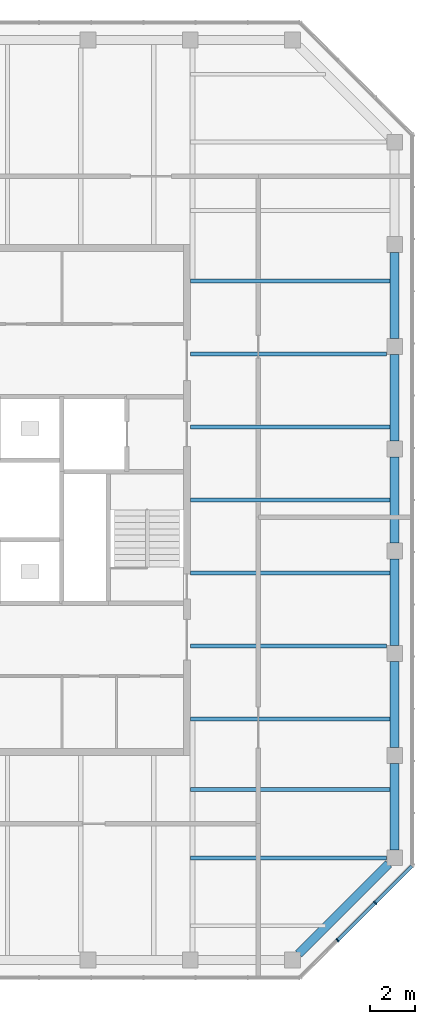
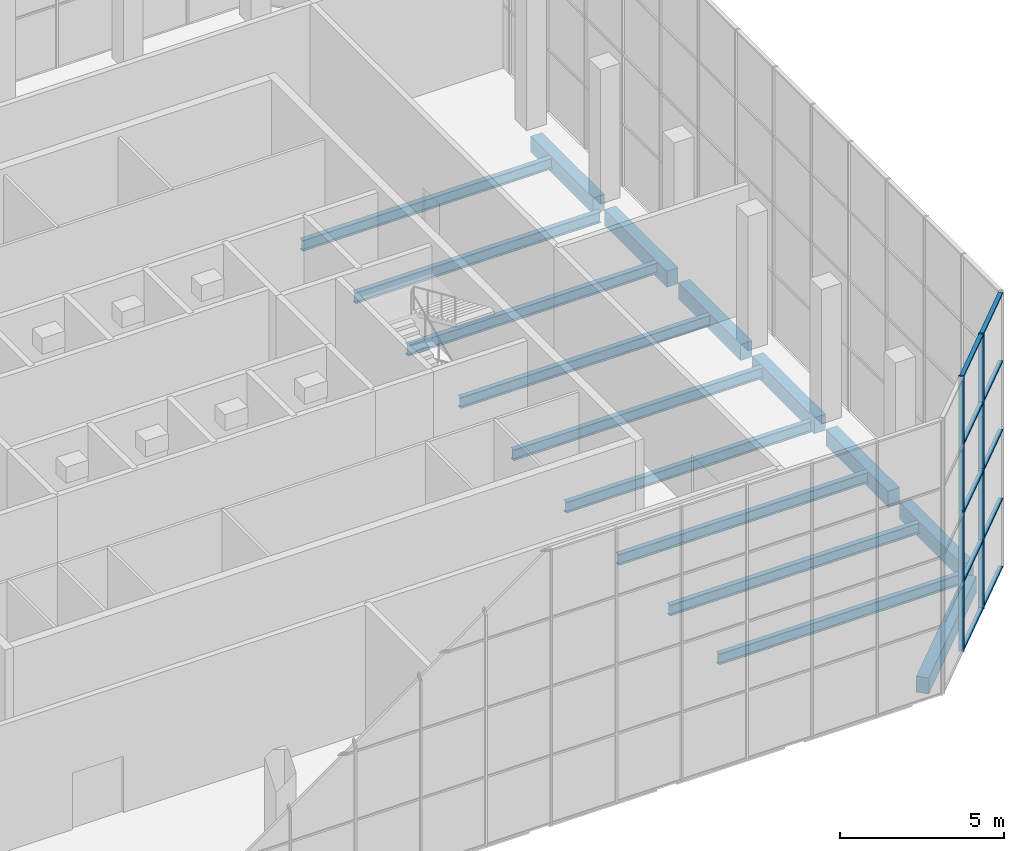
# One storey, part 6 of 19: 16 beams, 14 members, 1 element without a shape of its own.
"""IFC4 building model written with IfcOpenShell, lengths in metres."""

from ifc_helpers import new_model, si_unit, direction, frame, origin, origin_2d, place, context, subcontext, project, spatial, rectangle, i_section, extrude, material, constituent, constituent_set, material_profile, profile_set, type_object, element, aggregate, save


model = new_model("IFC4")

# Units and contexts
model_context = context("Model", 3, precision=1e-05, world=origin(), true_north=direction((0.0, 1.0)))
body_context = subcontext(model_context, "Body", "Model", "MODEL_VIEW")
ifc_project = project(units=[si_unit("LENGTHUNIT", "METRE"), si_unit("AREAUNIT", "SQUARE_METRE"), si_unit("VOLUMEUNIT", "CUBIC_METRE"), si_unit("PLANEANGLEUNIT", "RADIAN"), si_unit("MASSUNIT", "GRAM", prefix="KILO")], contexts=[model_context])

# Site, building, storey
site_placement = place(None, origin())
site = spatial("IfcSite", under=ifc_project, at=site_placement, CompositionType="ELEMENT")
building_placement = place(site_placement, origin())
building = spatial("IfcBuilding", under=site, at=building_placement, Name="Quoin Convention Tower", CompositionType="ELEMENT")
storey_placement = place(building_placement, frame((0.0, 0.0, 263.699951171875)))
storey = spatial("IfcBuildingStorey", under=building, at=storey_placement, Name="L69", CompositionType="ELEMENT", Elevation=263.699951171875)

# Beams
ifc_material_1 = material(Name="Steel Grade 300", Category="steel")
ifc_material_profile_1 = material_profile(ifc_material_1, i_section(OverallWidth=0.177978515625, OverallDepth=0.403076171875, WebThickness=0.007568359375, FlangeThickness=0.010986328125, FilletRadius=0.011474609375, at=origin_2d()), Name="410UB53.7")
ifc_profile_set_1 = profile_set([ifc_material_profile_1], Name="Steel Grade 300")
beam_type_1 = type_object("IfcBeamType", Name="410UB53.7", PredefinedType="BEAM", material=ifc_profile_set_1)
beam_1_placement = place(storey_placement, frame((67.5, 51.107177734375, -0.451416015625), z_axis=(1.0, 0.0, 0.0), x_axis=(0.0, 1.0, 0.0)))
element("IfcBeam", 1, at=beam_1_placement, inside=storey, type_object=beam_type_1, Name="bm-L69-T1E0", PredefinedType="BEAM", context=body_context, shape_type="SweptSolid", body=[
    extrude(i_section(OverallWidth=0.177978515625, OverallDepth=0.403076171875, WebThickness=0.007568359375, FlangeThickness=0.010986328125, FilletRadius=0.011474609375, at=origin_2d()), origin(), (0.0, 0.0, 1.0), 8.800048828125),
])
beam_2_placement = place(storey_placement, frame((67.5, 54.3212890625, -0.451416015625), z_axis=(1.0, 0.0, 0.0), x_axis=(0.0, 1.0, 0.0)))
element("IfcBeam", 2, at=beam_2_placement, inside=storey, type_object=beam_type_1, Name="bm-L69-T1E1", PredefinedType="BEAM", context=body_context, shape_type="SweptSolid", body=[
    extrude(i_section(OverallWidth=0.177978515625, OverallDepth=0.403076171875, WebThickness=0.007568359375, FlangeThickness=0.010986328125, FilletRadius=0.011474609375, at=origin_2d()), origin(), (0.0, 0.0, 1.0), 8.64990234375),
])
for number, where, z_axis, x_axis, name in (
    (3, (67.5, 57.53564453125, -0.451416015625), (1.0, 0.0, 0.0), (0.0, 1.0, 0.0), "bm-L69-T1E2"),
    (4, (67.5, 60.75, -0.451416015625), (1.0, 0.0, 0.0), (0.0, 1.0, 0.0), "bm-L69-T1E3"),
    (5, (67.5, 63.96435546875, -0.451416015625), (1.0, 0.0, 0.0), (0.0, 1.0, 0.0), "bm-L69-T1E4"),
):
    element("IfcBeam", number, at=place(storey_placement, frame(where, z_axis=z_axis, x_axis=x_axis)), inside=storey, type_object=beam_type_1, Name=name, PredefinedType="BEAM", context=body_context, shape_type="SweptSolid", body=[
        extrude(i_section(OverallWidth=0.177978515625, OverallDepth=0.403076171875, WebThickness=0.007568359375, FlangeThickness=0.010986328125, FilletRadius=0.011474609375, at=origin_2d()), origin(), (0.0, 0.0, 1.0), 8.800048828125),
    ])
beam_3_placement = place(storey_placement, frame((67.5, 67.1787109375, -0.451416015625), z_axis=(1.0, 0.0, 0.0), x_axis=(0.0, 1.0, 0.0)))
element("IfcBeam", 6, at=beam_3_placement, inside=storey, type_object=beam_type_1, Name="bm-L69-T1E5", PredefinedType="BEAM", context=body_context, shape_type="SweptSolid", body=[
    extrude(i_section(OverallWidth=0.177978515625, OverallDepth=0.403076171875, WebThickness=0.007568359375, FlangeThickness=0.010986328125, FilletRadius=0.011474609375, at=origin_2d()), origin(), (0.0, 0.0, 1.0), 8.64990234375),
])
beam_4_placement = place(storey_placement, frame((67.5, 70.392822265625, -0.451416015625), z_axis=(1.0, 0.0, 0.0), x_axis=(0.0, 1.0, 0.0)))
element("IfcBeam", 7, at=beam_4_placement, inside=storey, type_object=beam_type_1, Name="bm-L69-T1E6", PredefinedType="BEAM", context=body_context, shape_type="SweptSolid", body=[
    extrude(i_section(OverallWidth=0.177978515625, OverallDepth=0.403076171875, WebThickness=0.007568359375, FlangeThickness=0.010986328125, FilletRadius=0.011474609375, at=origin_2d()), origin(), (0.0, 0.0, 1.0), 8.800048828125),
])
beam_5_placement = place(storey_placement, frame((67.5, 45.0, -0.451416015625), z_axis=(1.0, 0.0, 0.0), x_axis=(0.0, 1.0, 0.0)))
element("IfcBeam", 8, at=beam_5_placement, inside=storey, type_object=beam_type_1, Name="bm-L69-T1SE1", PredefinedType="BEAM", context=body_context, shape_type="SweptSolid", body=[
    extrude(i_section(OverallWidth=0.177978515625, OverallDepth=0.403076171875, WebThickness=0.007568359375, FlangeThickness=0.010986328125, FilletRadius=0.011474609375, at=origin_2d()), origin(), (0.0, 0.0, 1.0), 8.64990234375),
])
beam_6_placement = place(storey_placement, frame((67.5, 48.0, -0.451416015625), z_axis=(1.0, 0.0, 0.0), x_axis=(0.0, 1.0, 0.0)))
element("IfcBeam", 9, at=beam_6_placement, inside=storey, type_object=beam_type_1, Name="bm-L69-T1SE2", PredefinedType="BEAM", context=body_context, shape_type="SweptSolid", body=[
    extrude(i_section(OverallWidth=0.177978515625, OverallDepth=0.403076171875, WebThickness=0.007568359375, FlangeThickness=0.010986328125, FilletRadius=0.011474609375, at=origin_2d()), origin(), (0.0, 0.0, 1.0), 8.800048828125),
])

# Curtain wall, members
ifc_material_2 = material(Name="Aluminium", Category="aluminium")
ifc_constituent_1 = constituent(ifc_material_2, Name="Frame")
ifc_material_3 = material(Name="Insulated glass", Category="glass")
ifc_constituent_2 = constituent(ifc_material_3, Name="Glazing")
ifc_constituent_set = constituent_set(constituents=[ifc_constituent_1, ifc_constituent_2], Name="Aluminium")
curtain_wall_type = type_object("IfcCurtainWallType", Name="Lantern wall system", PredefinedType="NOTDEFINED", material=ifc_constituent_set)
curtain_wall_placement = place(storey_placement, origin())
curtain_wall = element("IfcCurtainWall", 10, at=curtain_wall_placement, inside=storey, type_object=curtain_wall_type, Name="crn-LNW-72000_40500", PredefinedType="NOTDEFINED")
ifc_material_profile_2 = material_profile(ifc_material_2, rectangle(XDim=0.179931640625, YDim=0.06005859375, at=origin_2d()), Name="Lantern wall mullion 60x180")
ifc_profile_set_2 = profile_set([ifc_material_profile_2], Name="Aluminium")
member_type_1 = type_object("IfcMemberType", Name="Lantern wall mullion 60x180", PredefinedType="MULLION", material=ifc_profile_set_2)
member_1_placement = place(storey_placement, frame((73.9814453125, 41.3642578125, -0.25), z_axis=(0.0, 0.0, 1.0), x_axis=(-0.707106781187, 0.707106781187, 0.0)))
member_1 = element("IfcMember", 11, at=member_1_placement, type_object=member_type_1, Name="CW5 mullion 2", PredefinedType="MULLION", context=body_context, shape_type="SweptSolid", body=[
    extrude(rectangle(XDim=0.179931640625, YDim=0.06005859375, at=origin_2d()), origin(), (0.0, 0.0, 1.0), 5.25),
])
member_2_placement = place(storey_placement, frame((75.6357421875, 43.0185546875, -0.25), z_axis=(0.0, 0.0, 1.0), x_axis=(-0.707106781187, 0.707106781187, 0.0)))
member_2 = element("IfcMember", 12, at=member_2_placement, type_object=member_type_1, Name="CW5 mullion 3", PredefinedType="MULLION", context=body_context, shape_type="SweptSolid", body=[
    extrude(rectangle(XDim=0.179931640625, YDim=0.06005859375, at=origin_2d()), origin(), (0.0, 0.0, 1.0), 5.25),
])
member_3_placement = place(storey_placement, frame((73.9814453125, 41.3642578125, 5.0), z_axis=(0.0, 0.0, 1.0), x_axis=(-0.707106781187, 0.707106781187, 0.0)))
member_3 = element("IfcMember", 13, at=member_3_placement, type_object=member_type_1, Name="CW5 mullion 2", PredefinedType="MULLION", context=body_context, shape_type="SweptSolid", body=[
    extrude(rectangle(XDim=0.179931640625, YDim=0.06005859375, at=origin_2d()), origin(), (0.0, 0.0, 1.0), 5.0),
])
member_4_placement = place(storey_placement, frame((75.6357421875, 43.0185546875, 5.0), z_axis=(0.0, 0.0, 1.0), x_axis=(-0.707106781187, 0.707106781187, 0.0)))
member_4 = element("IfcMember", 14, at=member_4_placement, type_object=member_type_1, Name="CW5 mullion 3", PredefinedType="MULLION", context=body_context, shape_type="SweptSolid", body=[
    extrude(rectangle(XDim=0.179931640625, YDim=0.06005859375, at=origin_2d()), origin(), (0.0, 0.0, 1.0), 5.0),
])
ifc_material_profile_3 = material_profile(ifc_material_2, rectangle(XDim=0.139892578125, YDim=0.06005859375, at=origin_2d()), Name="Lantern wall transom 60x140")
ifc_profile_set_3 = profile_set([ifc_material_profile_3], Name="Aluminium")
member_type_2 = type_object("IfcMemberType", Name="Lantern wall transom 60x140", PredefinedType="USERDEFINED", material=ifc_profile_set_3)
member_5_placement = place(storey_placement, frame((74.002685546875, 41.385498046875, -0.219970703125), z_axis=(0.707106781187, 0.707106781187, 0.0), x_axis=(-0.707106781187, 0.707106781187, 0.0)))
member_5 = element("IfcMember", 15, at=member_5_placement, type_object=member_type_2, Name="CW5 transom 2.1", ObjectType="TRANSOM", PredefinedType="USERDEFINED", context=body_context, shape_type="SweptSolid", body=[
    extrude(rectangle(XDim=0.139892578125, YDim=0.06005859375, at=origin_2d()), origin(), (0.0, 0.0, 1.0), 2.279541015625),
])
member_6_placement = place(storey_placement, frame((74.002685546875, 41.385498046875, 2.3125), z_axis=(0.707106781187, 0.707106781187, 0.0), x_axis=(-0.707106781187, 0.707106781187, 0.0)))
member_6 = element("IfcMember", 16, at=member_6_placement, type_object=member_type_2, Name="CW5 transom 2.2", ObjectType="TRANSOM", PredefinedType="USERDEFINED", context=body_context, shape_type="SweptSolid", body=[
    extrude(rectangle(XDim=0.139892578125, YDim=0.06005859375, at=origin_2d()), origin(), (0.0, 0.0, 1.0), 2.279541015625),
])
member_7_placement = place(storey_placement, frame((74.002685546875, 41.385498046875, 4.875), z_axis=(0.707106781187, 0.707106781187, 0.0), x_axis=(-0.707106781187, 0.707106781187, 0.0)))
member_7 = element("IfcMember", 17, at=member_7_placement, type_object=member_type_2, Name="CW5 transom 2.3", ObjectType="TRANSOM", PredefinedType="USERDEFINED", context=body_context, shape_type="SweptSolid", body=[
    extrude(rectangle(XDim=0.139892578125, YDim=0.06005859375, at=origin_2d()), origin(), (0.0, 0.0, 1.0), 2.279541015625),
])
member_8_placement = place(storey_placement, frame((74.002685546875, 41.385498046875, 7.4375), z_axis=(0.707106781187, 0.707106781187, 0.0), x_axis=(-0.707106781187, 0.707106781187, 0.0)))
member_8 = element("IfcMember", 18, at=member_8_placement, type_object=member_type_2, Name="CW5 transom 2.4", ObjectType="TRANSOM", PredefinedType="USERDEFINED", context=body_context, shape_type="SweptSolid", body=[
    extrude(rectangle(XDim=0.139892578125, YDim=0.06005859375, at=origin_2d()), origin(), (0.0, 0.0, 1.0), 2.279541015625),
])
member_9_placement = place(storey_placement, frame((74.002685546875, 41.385498046875, 9.969970703125), z_axis=(0.707106781187, 0.707106781187, 0.0), x_axis=(-0.707106781187, 0.707106781187, 0.0)))
member_9 = element("IfcMember", 19, at=member_9_placement, type_object=member_type_2, Name="CW5 transom 2.5", ObjectType="TRANSOM", PredefinedType="USERDEFINED", context=body_context, shape_type="SweptSolid", body=[
    extrude(rectangle(XDim=0.139892578125, YDim=0.06005859375, at=origin_2d()), origin(), (0.0, 0.0, 1.0), 2.279541015625),
])
member_10_placement = place(storey_placement, frame((75.656982421875, 43.039794921875, -0.219970703125), z_axis=(0.707106781187, 0.707106781187, 0.0), x_axis=(-0.707106781187, 0.707106781187, 0.0)))
member_10 = element("IfcMember", 20, at=member_10_placement, type_object=member_type_2, Name="CW5 transom 3.1", ObjectType="TRANSOM", PredefinedType="USERDEFINED", context=body_context, shape_type="SweptSolid", body=[
    extrude(rectangle(XDim=0.139892578125, YDim=0.06005859375, at=origin_2d()), origin(), (0.0, 0.0, 1.0), 2.24951171875),
])
member_11_placement = place(storey_placement, frame((75.656982421875, 43.039794921875, 2.3125), z_axis=(0.707106781187, 0.707106781187, 0.0), x_axis=(-0.707106781187, 0.707106781187, 0.0)))
member_11 = element("IfcMember", 21, at=member_11_placement, type_object=member_type_2, Name="CW5 transom 3.2", ObjectType="TRANSOM", PredefinedType="USERDEFINED", context=body_context, shape_type="SweptSolid", body=[
    extrude(rectangle(XDim=0.139892578125, YDim=0.06005859375, at=origin_2d()), origin(), (0.0, 0.0, 1.0), 2.24951171875),
])
member_12_placement = place(storey_placement, frame((75.656982421875, 43.039794921875, 4.875), z_axis=(0.707106781187, 0.707106781187, 0.0), x_axis=(-0.707106781187, 0.707106781187, 0.0)))
member_12 = element("IfcMember", 22, at=member_12_placement, type_object=member_type_2, Name="CW5 transom 3.3", ObjectType="TRANSOM", PredefinedType="USERDEFINED", context=body_context, shape_type="SweptSolid", body=[
    extrude(rectangle(XDim=0.139892578125, YDim=0.06005859375, at=origin_2d()), origin(), (0.0, 0.0, 1.0), 2.24951171875),
])
member_13_placement = place(storey_placement, frame((75.656982421875, 43.039794921875, 7.4375), z_axis=(0.707106781187, 0.707106781187, 0.0), x_axis=(-0.707106781187, 0.707106781187, 0.0)))
member_13 = element("IfcMember", 23, at=member_13_placement, type_object=member_type_2, Name="CW5 transom 3.4", ObjectType="TRANSOM", PredefinedType="USERDEFINED", context=body_context, shape_type="SweptSolid", body=[
    extrude(rectangle(XDim=0.139892578125, YDim=0.06005859375, at=origin_2d()), origin(), (0.0, 0.0, 1.0), 2.24951171875),
])
member_14_placement = place(storey_placement, frame((75.656982421875, 43.039794921875, 9.969970703125), z_axis=(0.707106781187, 0.707106781187, 0.0), x_axis=(-0.707106781187, 0.707106781187, 0.0)))
member_14 = element("IfcMember", 24, at=member_14_placement, type_object=member_type_2, Name="CW5 transom 3.5", ObjectType="TRANSOM", PredefinedType="USERDEFINED", context=body_context, shape_type="SweptSolid", body=[
    extrude(rectangle(XDim=0.139892578125, YDim=0.06005859375, at=origin_2d()), origin(), (0.0, 0.0, 1.0), 2.24951171875),
])
aggregate(curtain_wall, [member_1, member_2, member_5, member_6, member_7, member_8, member_9, member_10, member_11, member_12, member_13, member_14, member_3, member_4])

# Beams
ifc_material_4 = material(Name="Concrete C40", Category="concrete")
ifc_material_profile_4 = material_profile(ifc_material_4, rectangle(XDim=0.39990234375, YDim=0.60009765625, at=origin_2d()), Name="RC 400x600")
ifc_profile_set_4 = profile_set([ifc_material_profile_4], Name="Concrete C40")
beam_type_2 = type_object("IfcBeamType", Name="RC 400x600 C40", PredefinedType="SPANDREL", material=ifc_profile_set_4)
beam_7_placement = place(storey_placement, frame((72.26513671875, 40.76513671875, -0.550048828125), z_axis=(0.707106781187, 0.707106781187, 0.0), x_axis=(-0.707106781187, 0.707106781187, 0.0)))
element("IfcBeam", 25, at=beam_7_placement, inside=storey, type_object=beam_type_2, Name="spd-L69-72000_40500-76500_45000", PredefinedType="SPANDREL", context=body_context, shape_type="SweptSolid", body=[
    extrude(rectangle(XDim=0.39990234375, YDim=0.60009765625, at=origin_2d()), origin(), (0.0, 0.0, 1.0), 5.614013671875),
])
for number, where, z_axis, x_axis, name in (
    (26, (76.5, 45.35009765625, -0.550048828125), (0.0, 1.0, 0.0), (-1.0, 0.0, 0.0), "spd-L69-76500_45000-76500_49500"),
    (27, (76.5, 49.85009765625, -0.550048828125), (0.0, 1.0, 0.0), (-1.0, 0.0, 0.0), "spd-L69-76500_49500-76500_54000"),
    (28, (76.5, 54.35009765625, -0.550048828125), (0.0, 1.0, 0.0), (-1.0, 0.0, 0.0), "spd-L69-76500_54000-76500_58500"),
    (29, (76.5, 58.85009765625, -0.550048828125), (0.0, 1.0, 0.0), (-1.0, 0.0, 0.0), "spd-L69-76500_58500-76500_63000"),
    (30, (76.5, 63.35009765625, -0.550048828125), (0.0, 1.0, 0.0), (-1.0, 0.0, 0.0), "spd-L69-76500_63000-76500_67500"),
    (31, (76.5, 67.85009765625, -0.550048828125), (0.0, 1.0, 0.0), (-1.0, 0.0, 0.0), "spd-L69-76500_67500-76500_72000"),
):
    element("IfcBeam", number, at=place(storey_placement, frame(where, z_axis=z_axis, x_axis=x_axis)), inside=storey, type_object=beam_type_2, Name=name, PredefinedType="SPANDREL", context=body_context, shape_type="SweptSolid", body=[
        extrude(rectangle(XDim=0.39990234375, YDim=0.60009765625, at=origin_2d()), origin(), (0.0, 0.0, 1.0), 3.7998046875),
    ])

save(model, "model.ifc")
